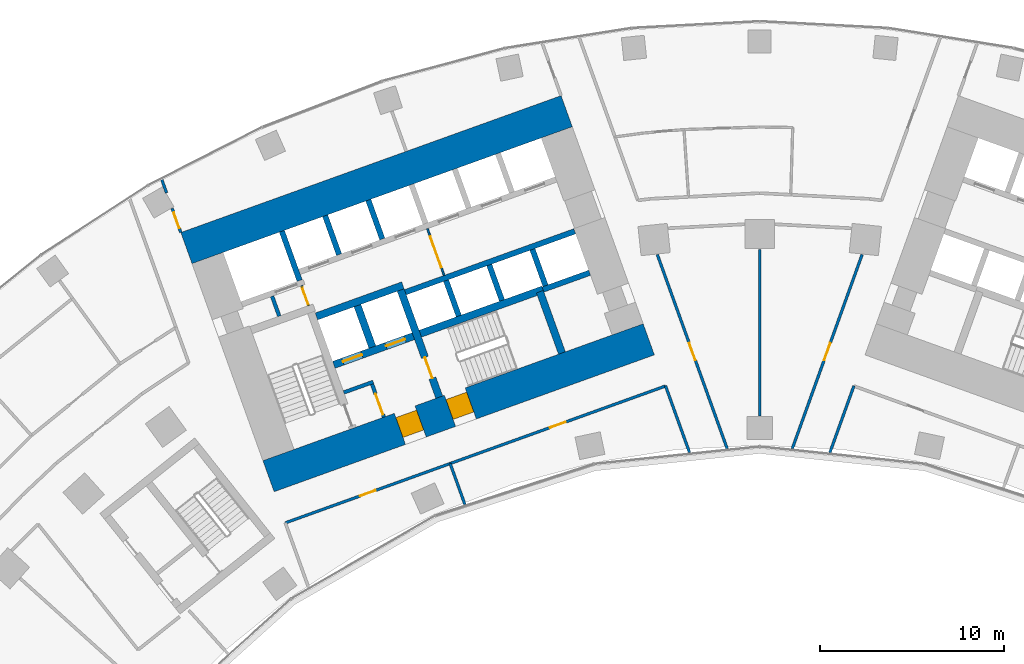
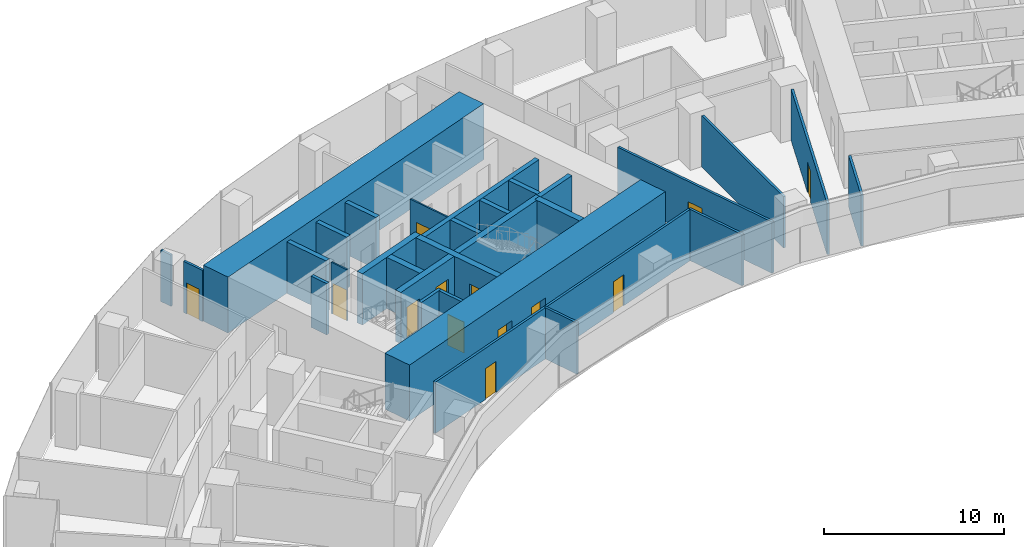
# One storey, part 15 of 21: 30 walls, 13 doors, 13 openings.
"""IFC4 building model written with IfcOpenShell, lengths in metres."""

from ifc_helpers import new_model, si_unit, direction, frame, frame_2d, origin, place, context, subcontext, project, spatial, rectangle, extrude, material, layer, layer_set, type_object, element, fill, save


model = new_model("IFC4")

# Units and contexts
model_context = context("Model", 3, precision=1e-05, world=origin(), true_north=direction((0.0, 1.0)))
body_context = subcontext(model_context, "Body", "Model", "MODEL_VIEW")
ifc_project = project(units=[si_unit("LENGTHUNIT", "METRE"), si_unit("AREAUNIT", "SQUARE_METRE"), si_unit("VOLUMEUNIT", "CUBIC_METRE"), si_unit("PLANEANGLEUNIT", "RADIAN"), si_unit("MASSUNIT", "GRAM", prefix="KILO")], contexts=[model_context])

# Site, building, storey
site_placement = place(None, origin())
site = spatial("IfcSite", under=ifc_project, at=site_placement, CompositionType="ELEMENT")
building_placement = place(site_placement, origin())
building = spatial("IfcBuilding", under=site, at=building_placement, Name="Stone Belt Terrace Tower", CompositionType="ELEMENT")
storey_placement = place(building_placement, frame((0.0, 0.0, 33.800048828125)))
storey = spatial("IfcBuildingStorey", under=building, at=storey_placement, Name="L07", CompositionType="ELEMENT", Elevation=33.800048828125)

# Wall, opening, door
ifc_material_1 = material(Name="Plasterboard partition")
ifc_layer_1 = layer(ifc_material_1, 0.10009765625)
ifc_layer_set_1 = layer_set([ifc_layer_1], Name="Core partition 100")
wall_type_1 = type_object("IfcWallType", Name="Core partition 100", PredefinedType="PARTITIONING", material=ifc_layer_set_1)
wall_1_placement = place(storey_placement, frame((-24.555908203125, 51.10400390625, 0.0), z_axis=(0.0, 0.0, 1.0), x_axis=(-0.338621735342, 0.94092258999, 0.0)))
wall_1 = element("IfcWall", 1, at=wall_1_placement, inside=storey, type_object=wall_type_1, Name="Core A wall", PredefinedType="PARTITIONING", context=body_context, shape_type="SweptSolid", body=[
    extrude(rectangle(XDim=1.14990234375, YDim=0.10009765625, at=frame_2d((0.574951171875, 0.0))), origin(), (0.0, 0.0, 1.0), 3.47998046875),
])
opening_1_placement = place(wall_1_placement, frame((0.050048828125, 0.0, 0.0)))
opening_1 = element("IfcOpeningElement", 2, at=opening_1_placement, cuts=wall_1, Name="Opening L07-C02", PredefinedType="OPENING", context=body_context, shape_type="SweptSolid", body=[
    extrude(rectangle(XDim=1.0, YDim=2.10009765625, at=frame_2d((0.5, 1.050048828125))), frame((0.0, 0.06005859375, 0.0), z_axis=(0.0, -1.0, 0.0), x_axis=(1.0, 0.0, 0.0)), (0.0, 0.0, 1.0), 0.1201171875),
])
ifc_material_2 = material(Name="Timber door leaf", Category="wood")
door_type_1 = type_object("IfcDoorType", Name="Core room door 1000", OperationType="SINGLE_SWING_LEFT", PredefinedType="DOOR", material=ifc_material_2)
door_1_placement = place(opening_1_placement, origin())
door_1 = element("IfcDoor", 3, at=door_1_placement, inside=storey, type_object=door_type_1, Name="Service lift lobby door core A", OperationType="SINGLE_SWING_RIGHT", OverallHeight=2.10009765625, OverallWidth=1.0, PredefinedType="DOOR", context=body_context, shape_type="SweptSolid", body=[
    extrude(rectangle(XDim=1.0, YDim=2.10009765625, at=frame_2d((0.5, 1.050048828125))), frame((0.0, 0.02490234375, 0.0), z_axis=(0.0, -1.0, 0.0), x_axis=(1.0, 0.0, 0.0)), (0.0, 0.0, 1.0), 0.050048828125),
])
fill(opening_1, door_1)

wall_2_placement = place(storey_placement, frame((-17.17724609375, 52.749755859375, 0.0), z_axis=(0.0, 0.0, 1.0), x_axis=(-0.338546555931, 0.940949642365, 0.0)))
wall_2 = element("IfcWall", 4, at=wall_2_placement, inside=storey, type_object=wall_type_1, Name="Core A wall", PredefinedType="PARTITIONING", context=body_context, shape_type="SweptSolid", body=[
    extrude(rectangle(XDim=2.699951171875, YDim=0.10009765625, at=frame_2d((1.35009765625, 0.0))), origin(), (0.0, 0.0, 1.0), 3.47998046875),
])
opening_2_placement = place(wall_2_placement, frame((0.449951171875, 0.0, 0.0)))
opening_2 = element("IfcOpeningElement", 5, at=opening_2_placement, cuts=wall_2, Name="Opening L07-C03", PredefinedType="OPENING", context=body_context, shape_type="SweptSolid", body=[
    extrude(rectangle(XDim=1.800048828125, YDim=2.10009765625, at=frame_2d((0.89990234375, 1.050048828125))), frame((0.0, 0.06005859375, 0.0), z_axis=(0.0, -1.0, 0.0), x_axis=(1.0, 0.0, 0.0)), (0.0, 0.0, 1.0), 0.1201171875),
])
ifc_material_3 = material(Name="Glazed aluminium door leaf", Category="aluminium")
door_type_2 = type_object("IfcDoorType", Name="Lift lobby entrance door 1800", OperationType="DOUBLE_DOOR_SINGLE_SWING", PredefinedType="DOOR", material=ifc_material_3)
door_2_placement = place(opening_2_placement, origin())
door_2 = element("IfcDoor", 6, at=door_2_placement, inside=storey, type_object=door_type_2, Name="Lift lobby double door core A", OperationType="DOUBLE_DOOR_SINGLE_SWING", OverallHeight=2.10009765625, OverallWidth=1.800048828125, PredefinedType="DOOR", context=body_context, shape_type="SweptSolid", body=[
    extrude(rectangle(XDim=1.800048828125, YDim=2.10009765625, at=frame_2d((0.89990234375, 1.050048828125))), frame((0.0, 0.02490234375, 0.0), z_axis=(0.0, -1.0, 0.0), x_axis=(1.0, 0.0, 0.0)), (0.0, 0.0, 1.0), 0.050048828125),
])
fill(opening_2, door_2)

# Wall, openings, doors
ifc_material_4 = material(Name="Concrete B80", Category="concrete")
ifc_layer_2 = layer(ifc_material_4, 1.800048828125)
ifc_layer_set_2 = layer_set([ifc_layer_2], Name="Core wall 1800 B80")
wall_type_2 = type_object("IfcWallType", Name="Core wall 1800 B80", PredefinedType="SHEAR", material=ifc_layer_set_2)
wall_3_placement = place(storey_placement, frame((-26.739501953125, 41.815673828125, 0.0), z_axis=(0.0, 0.0, 1.0), x_axis=(0.940921642213, 0.338624368902, 0.0)))
wall_3 = element("IfcWall", 7, at=wall_3_placement, inside=storey, type_object=wall_type_2, Name="Core A wall concave L07", PredefinedType="SHEAR", context=body_context, shape_type="SweptSolid", body=[
    extrude(rectangle(XDim=22.0, YDim=1.800048828125, at=frame_2d((11.0, 0.0))), origin(), (0.0, 0.0, 1.0), 3.800048828125),
])
opening_3_placement = place(wall_3_placement, frame((7.60009765625, 0.0, 0.0)))
opening_3 = element("IfcOpeningElement", 8, at=opening_3_placement, cuts=wall_3, Name="Opening L07-C07", PredefinedType="OPENING", context=body_context, shape_type="SweptSolid", body=[
    extrude(rectangle(XDim=1.199951171875, YDim=2.10009765625, at=frame_2d((0.60009765625, 1.050048828125))), frame((0.0, 0.909912109375, 0.0), z_axis=(0.0, -1.0, 0.0), x_axis=(1.0, 0.0, 0.0)), (0.0, 0.0, 1.0), 1.820068359375),
])
opening_4_placement = place(wall_3_placement, frame((10.5, 0.0, 0.0)))
opening_4 = element("IfcOpeningElement", 9, at=opening_4_placement, cuts=wall_3, Name="Opening L07-C09", PredefinedType="OPENING", context=body_context, shape_type="SweptSolid", body=[
    extrude(rectangle(XDim=1.199951171875, YDim=2.10009765625, at=frame_2d((0.60009765625, 1.050048828125))), frame((0.0, 0.909912109375, 0.0), z_axis=(0.0, -1.0, 0.0), x_axis=(1.0, 0.0, 0.0)), (0.0, 0.0, 1.0), 1.820068359375),
])
ifc_material_5 = material(Name="Steel door leaf", Category="steel")
door_type_3 = type_object("IfcDoorType", Name="Fire-fighting lobby door 1200", OperationType="SINGLE_SWING_LEFT", PredefinedType="DOOR", material=ifc_material_5)
door_3_placement = place(opening_3_placement, origin())
door_3 = element("IfcDoor", 10, at=door_3_placement, inside=storey, type_object=door_type_3, Name="Fire-fighting lobby door core A", OperationType="SINGLE_SWING_RIGHT", OverallHeight=2.10009765625, OverallWidth=1.199951171875, PredefinedType="DOOR", context=body_context, shape_type="SweptSolid", body=[
    extrude(rectangle(XDim=1.199951171875, YDim=2.10009765625, at=frame_2d((0.60009765625, 1.050048828125))), frame((0.0, 0.655029296875, 0.0), z_axis=(0.0, -1.0, 0.0), x_axis=(1.0, 0.0, 0.0)), (0.0, 0.0, 1.0), 1.14990234375),
])
fill(opening_3, door_3)
door_type_4 = type_object("IfcDoorType", Name="Stair door 1200", OperationType="SINGLE_SWING_LEFT", PredefinedType="DOOR", material=ifc_material_5)
door_4_placement = place(opening_4_placement, origin())
door_4 = element("IfcDoor", 11, at=door_4_placement, inside=storey, type_object=door_type_4, Name="Stair 2 exit door core A", OperationType="SINGLE_SWING_LEFT", OverallHeight=2.10009765625, OverallWidth=1.199951171875, PredefinedType="DOOR", context=body_context, shape_type="SweptSolid", body=[
    extrude(rectangle(XDim=1.199951171875, YDim=2.10009765625, at=frame_2d((0.60009765625, 1.050048828125))), frame((0.0, 0.655029296875, 0.0), z_axis=(0.0, -1.0, 0.0), x_axis=(1.0, 0.0, 0.0)), (0.0, 0.0, 1.0), 1.14990234375),
])
fill(opening_4, door_4)

# Walls
wall_4_placement = place(storey_placement, frame((-31.20947265625, 54.23583984375, 0.0), z_axis=(0.0, 0.0, 1.0), x_axis=(0.940922914687, 0.338620833112, 0.0)))
element("IfcWall", 12, at=wall_4_placement, inside=storey, type_object=wall_type_2, Name="Core A wall convex L07", PredefinedType="SHEAR", context=body_context, shape_type="SweptSolid", body=[
    extrude(rectangle(XDim=22.000244140625, YDim=1.800048828125, at=frame_2d((11.0, 0.0))), origin(), (0.0, 0.0, 1.0), 3.800048828125),
])
ifc_layer_3 = layer(ifc_material_4, 0.39990234375)
ifc_layer_set_3 = layer_set([ifc_layer_3], Name="Fire-fighting lift shaft wall 400")
wall_type_3 = type_object("IfcWallType", Name="Fire-fighting lift shaft wall 400", PredefinedType="SHEAR", material=ifc_layer_set_3)
wall_5_placement = place(storey_placement, frame((-24.130615234375, 50.512939453125, 0.0), z_axis=(0.0, 0.0, 1.0), x_axis=(0.94091168377, 0.338652038744, 0.0)))
element("IfcWall", 13, at=wall_5_placement, inside=storey, type_object=wall_type_3, Name="Core A wall", PredefinedType="SHEAR", context=body_context, shape_type="SweptSolid", body=[
    extrude(rectangle(XDim=5.000244140625, YDim=0.39990234375, at=frame_2d((2.5, 0.0))), origin(), (0.0, 0.0, 1.0), 3.47998046875),
])
wall_6_placement = place(storey_placement, frame((-21.0859375, 48.845458984375, 0.0), z_axis=(0.0, 0.0, 1.0), x_axis=(-0.338629416206, 0.940919825745, 0.0)))
element("IfcWall", 14, at=wall_6_placement, inside=storey, type_object=wall_type_3, Name="Core A wall", PredefinedType="SHEAR", context=body_context, shape_type="SweptSolid", body=[
    extrude(rectangle(XDim=2.400146484375, YDim=0.39990234375, at=frame_2d((1.2001953125, 0.0))), origin(), (0.0, 0.0, 1.0), 3.47998046875),
])
ifc_layer_4 = layer(ifc_material_4, 0.300048828125)
ifc_layer_set_4 = layer_set([ifc_layer_4], Name="Lift shaft wall 300")
wall_type_4 = type_object("IfcWallType", Name="Lift shaft wall 300", PredefinedType="SHEAR", material=ifc_layer_set_4)
wall_7_placement = place(storey_placement, frame((-25.046875, 52.46826171875, 0.0), z_axis=(0.0, 0.0, 1.0), x_axis=(-0.338549588058, 0.940948551423, 0.0)))
element("IfcWall", 15, at=wall_7_placement, inside=storey, type_object=wall_type_4, Name="Core A wall", PredefinedType="SHEAR", context=body_context, shape_type="SweptSolid", body=[
    extrude(rectangle(XDim=2.849853515625, YDim=0.300048828125, at=frame_2d((1.4248046875, 0.0))), origin(), (0.0, 0.0, 1.0), 3.47998046875),
])
wall_8_placement = place(storey_placement, frame((-22.897705078125, 53.87939453125, 0.0), z_axis=(0.0, 0.0, 1.0), x_axis=(-0.338535034312, 0.940953787677, 0.0)))
element("IfcWall", 16, at=wall_8_placement, inside=storey, type_object=wall_type_4, Name="Core A wall", PredefinedType="SHEAR", context=body_context, shape_type="SweptSolid", body=[
    extrude(rectangle(XDim=2.25, YDim=0.300048828125, at=frame_2d((1.125, 0.0))), origin(), (0.0, 0.0, 1.0), 3.47998046875),
])
wall_9_placement = place(storey_placement, frame((-19.29052734375, 51.829833984375, 0.0), z_axis=(0.0, 0.0, 1.0), x_axis=(0.940925833398, 0.338612722803, 0.0)))
element("IfcWall", 17, at=wall_9_placement, inside=storey, type_object=wall_type_4, Name="Core A wall", PredefinedType="SHEAR", context=body_context, shape_type="SweptSolid", body=[
    extrude(rectangle(XDim=9.7998046875, YDim=0.300048828125, at=frame_2d((4.89990234375, 0.0))), origin(), (0.0, 0.0, 1.0), 3.47998046875),
])
wall_10_placement = place(storey_placement, frame((-20.54541015625, 54.72607421875, 0.0), z_axis=(0.0, 0.0, 1.0), x_axis=(-0.338569601369, 0.940941350472, 0.0)))
element("IfcWall", 18, at=wall_10_placement, inside=storey, type_object=wall_type_4, Name="Core A wall", PredefinedType="SHEAR", context=body_context, shape_type="SweptSolid", body=[
    extrude(rectangle(XDim=2.249755859375, YDim=0.300048828125, at=frame_2d((1.125, 0.0))), origin(), (0.0, 0.0, 1.0), 3.47998046875),
])
for number, where, z_axis, x_axis, name in (
    (19, (-16.38134765625, 50.53857421875, 0.0), (0.0, 0.0, 1.0), (-0.338681515556, 0.940901073982, 0.0), "Core A wall"),
    (20, (-14.029052734375, 51.38525390625, 0.0), (0.0, 0.0, 1.0), (-0.338681515556, 0.940901073982, 0.0), "Core A wall"),
):
    element("IfcWall", number, at=place(storey_placement, frame(where, z_axis=z_axis, x_axis=x_axis)), inside=storey, type_object=wall_type_4, Name=name, PredefinedType="SHEAR", context=body_context, shape_type="SweptSolid", body=[
        extrude(rectangle(XDim=2.050048828125, YDim=0.300048828125, at=frame_2d((1.02490234375, 0.0))), origin(), (0.0, 0.0, 1.0), 3.47998046875),
    ])
wall_11_placement = place(storey_placement, frame((-11.797119140625, 51.975830078125, 0.0), z_axis=(0.0, 0.0, 1.0), x_axis=(0.940910465161, 0.33865542451, 0.0)))
element("IfcWall", 21, at=wall_11_placement, inside=storey, type_object=wall_type_4, Name="Core A wall", PredefinedType="SHEAR", context=body_context, shape_type="SweptSolid", body=[
    extrude(rectangle(XDim=2.69970703125, YDim=0.300048828125, at=frame_2d((1.349853515625, 0.0))), origin(), (0.0, 0.0, 1.0), 3.47998046875),
])
wall_12_placement = place(storey_placement, frame((-11.659912109375, 52.184814453125, 0.0), z_axis=(0.0, 0.0, 1.0), x_axis=(-0.338670064856, 0.940905195634, 0.0)))
element("IfcWall", 22, at=wall_12_placement, inside=storey, type_object=wall_type_4, Name="Core A wall", PredefinedType="SHEAR", context=body_context, shape_type="SweptSolid", body=[
    extrude(rectangle(XDim=2.099853515625, YDim=0.300048828125, at=frame_2d((1.0498046875, 0.0))), origin(), (0.0, 0.0, 1.0), 3.47998046875),
])
ifc_material_6 = material(Name="Gypsum board partition")
ifc_layer_5 = layer(ifc_material_6, 0.14990234375)
ifc_layer_set_5 = layer_set([ifc_layer_5], Name="PARTITION 150 EI 60")
wall_type_5 = type_object("IfcWallType", Name="PARTITION 150 EI 60", PredefinedType="PARTITIONING", material=ifc_layer_set_5)
wall_13_placement = place(storey_placement, frame((-32.5458984375, 57.947998046875, 0.0), z_axis=(0.0, 0.0, 1.0), x_axis=(0.338960201827, -0.940800712998, 0.0)))
element("IfcWall", 23, at=wall_13_placement, inside=storey, type_object=wall_type_5, Name="L07/wall/i002", PredefinedType="PARTITIONING", context=body_context, shape_type="SweptSolid", body=[
    extrude(rectangle(XDim=0.754150390625, YDim=0.14990234375, at=frame_2d((0.376953125, 0.0))), origin(), (0.0, 0.0, 1.0), 3.47998046875),
])

# Wall, opening, door
wall_14_placement = place(storey_placement, frame((-31.98681640625, 56.39599609375, 0.0), z_axis=(0.0, 0.0, 1.0), x_axis=(0.338861945182, -0.940836107995, 0.0)))
wall_14 = element("IfcWall", 24, at=wall_14_placement, inside=storey, type_object=wall_type_5, Name="L07/wall/i003", PredefinedType="PARTITIONING", context=body_context, shape_type="SweptSolid", body=[
    extrude(rectangle(XDim=1.3955078125, YDim=0.14990234375, at=frame_2d((0.69775390625, 0.0))), origin(), (0.0, 0.0, 1.0), 3.47998046875),
])
opening_5_placement = place(wall_14_placement, frame((0.247802734375, 0.0, 0.0)))
opening_5 = element("IfcOpeningElement", 25, at=opening_5_placement, cuts=wall_14, Name="Opening D-A1b-03", PredefinedType="OPENING", context=body_context, shape_type="SweptSolid", body=[
    extrude(rectangle(XDim=0.89990234375, YDim=2.10009765625, at=frame_2d((0.449951171875, 1.050048828125))), frame((0.0, 0.0849609375, 0.0), z_axis=(0.0, -1.0, 0.0), x_axis=(1.0, 0.0, 0.0)), (0.0, 0.0, 1.0), 0.169921875),
])
door_type_5 = type_object("IfcDoorType", Name="OFFICE DOOR 900 X 2100", OperationType="NOTDEFINED", PredefinedType="DOOR", material=ifc_material_2)
door_5_placement = place(opening_5_placement, origin())
door_5 = element("IfcDoor", 26, at=door_5_placement, inside=storey, type_object=door_type_5, Name="L07/door/i03", OperationType="SINGLE_SWING_RIGHT", OverallHeight=2.10009765625, OverallWidth=0.89990234375, PredefinedType="DOOR", context=body_context, shape_type="SweptSolid", body=[
    extrude(rectangle(XDim=0.89990234375, YDim=2.10009765625, at=frame_2d((0.449951171875, 1.050048828125))), frame((0.0, 0.02490234375, 0.0), z_axis=(0.0, -1.0, 0.0), x_axis=(1.0, 0.0, 0.0)), (0.0, 0.0, 1.0), 0.050048828125),
])
fill(opening_5, door_5)

# Wall
wall_15_placement = place(storey_placement, frame((-3.819580078125, 43.0986328125, 0.0), z_axis=(0.0, 0.0, 1.0), x_axis=(-0.338659002829, 0.940909177234, 0.0)))
element("IfcWall", 27, at=wall_15_placement, inside=storey, type_object=wall_type_5, Name="L07/wall/i007", PredefinedType="PARTITIONING", context=body_context, shape_type="SweptSolid", body=[
    extrude(rectangle(XDim=3.8603515625, YDim=0.14990234375, at=frame_2d((1.93017578125, 0.0))), origin(), (0.0, 0.0, 1.0), 3.47998046875),
])

# Wall, opening, door
wall_16_placement = place(storey_placement, frame((-5.574951171875, 53.88232421875, 0.0), z_axis=(0.0, 0.0, 1.0), x_axis=(0.338622486498, -0.940922319662, 0.0)))
wall_16 = element("IfcWall", 28, at=wall_16_placement, inside=storey, type_object=wall_type_5, Name="L07/wall/i009", PredefinedType="PARTITIONING", context=body_context, shape_type="SweptSolid", body=[
    extrude(rectangle(XDim=11.232177734375, YDim=0.14990234375, at=frame_2d((5.6162109375, 0.0))), origin(), (0.0, 0.0, 1.0), 3.47998046875),
])
opening_6_placement = place(wall_16_placement, frame((5.1162109375, 0.0, 0.0)))
opening_6 = element("IfcOpeningElement", 29, at=opening_6_placement, cuts=wall_16, Name="Opening D-A1b-26", PredefinedType="OPENING", context=body_context, shape_type="SweptSolid", body=[
    extrude(rectangle(XDim=1.0, YDim=2.10009765625, at=frame_2d((0.5, 1.050048828125))), frame((0.0, 0.0849609375, 0.0), z_axis=(0.0, -1.0, 0.0), x_axis=(1.0, 0.0, 0.0)), (0.0, 0.0, 1.0), 0.169921875),
])
ifc_material_7 = material(Name="Timber fire door leaf", Category="wood")
door_type_6 = type_object("IfcDoorType", Name="TENANCY ENTRANCE DOOR 1000 X 2100", OperationType="NOTDEFINED", PredefinedType="DOOR", material=ifc_material_7)
door_6_placement = place(opening_6_placement, origin())
door_6 = element("IfcDoor", 30, at=door_6_placement, inside=storey, type_object=door_type_6, Name="L07/door/i26", OperationType="SINGLE_SWING_LEFT", OverallHeight=2.10009765625, OverallWidth=1.0, PredefinedType="DOOR", context=body_context, shape_type="SweptSolid", body=[
    extrude(rectangle(XDim=1.0, YDim=2.10009765625, at=frame_2d((0.5, 1.050048828125))), frame((0.0, 0.02490234375, 0.0), z_axis=(0.0, -1.0, 0.0), x_axis=(1.0, 0.0, 0.0)), (0.0, 0.0, 1.0), 0.050048828125),
])
fill(opening_6, door_6)

wall_17_placement = place(storey_placement, frame((-16.845947265625, 42.506103515625, 0.0), z_axis=(0.0, 0.0, 1.0), x_axis=(-0.940928824843, -0.338604410158, 0.0)))
wall_17 = element("IfcWall", 31, at=wall_17_placement, inside=storey, type_object=wall_type_5, Name="L07/wall/i012", PredefinedType="PARTITIONING", context=body_context, shape_type="SweptSolid", body=[
    extrude(rectangle(XDim=9.542724609375, YDim=0.14990234375, at=frame_2d((4.771484375, 0.0))), origin(), (0.0, 0.0, 1.0), 3.47998046875),
])
opening_7_placement = place(wall_17_placement, frame((4.3212890625, 0.0, 0.0)))
opening_7 = element("IfcOpeningElement", 32, at=opening_7_placement, cuts=wall_17, Name="Opening D-A1b-01", PredefinedType="OPENING", context=body_context, shape_type="SweptSolid", body=[
    extrude(rectangle(XDim=0.89990234375, YDim=2.10009765625, at=frame_2d((0.449951171875, 1.050048828125))), frame((0.0, 0.0849609375, 0.0), z_axis=(0.0, -1.0, 0.0), x_axis=(1.0, 0.0, 0.0)), (0.0, 0.0, 1.0), 0.169921875),
])
door_7_placement = place(opening_7_placement, origin())
door_7 = element("IfcDoor", 33, at=door_7_placement, inside=storey, type_object=door_type_5, Name="L07/door/i01", OperationType="SINGLE_SWING_RIGHT", OverallHeight=2.10009765625, OverallWidth=0.89990234375, PredefinedType="DOOR", context=body_context, shape_type="SweptSolid", body=[
    extrude(rectangle(XDim=0.89990234375, YDim=2.10009765625, at=frame_2d((0.449951171875, 1.050048828125))), frame((0.0, 0.02490234375, 0.0), z_axis=(0.0, -1.0, 0.0), x_axis=(1.0, 0.0, 0.0)), (0.0, 0.0, 1.0), 0.050048828125),
])
fill(opening_7, door_7)

wall_18_placement = place(storey_placement, frame((-5.125, 46.72509765625, 0.0), z_axis=(0.0, 0.0, 1.0), x_axis=(-0.940905380647, -0.338669550844, 0.0)))
wall_18 = element("IfcWall", 34, at=wall_18_placement, inside=storey, type_object=wall_type_5, Name="L07/wall/i013", PredefinedType="PARTITIONING", context=body_context, shape_type="SweptSolid", body=[
    extrude(rectangle(XDim=12.4697265625, YDim=0.14990234375, at=frame_2d((6.23486328125, 0.0))), origin(), (0.0, 0.0, 1.0), 3.47998046875),
])
opening_8_placement = place(wall_18_placement, frame((5.784912109375, 0.0, 0.0)))
opening_8 = element("IfcOpeningElement", 35, at=opening_8_placement, cuts=wall_18, Name="Opening D-A1b-02", PredefinedType="OPENING", context=body_context, shape_type="SweptSolid", body=[
    extrude(rectangle(XDim=0.89990234375, YDim=2.10009765625, at=frame_2d((0.449951171875, 1.050048828125))), frame((0.0, 0.0849609375, 0.0), z_axis=(0.0, -1.0, 0.0), x_axis=(1.0, 0.0, 0.0)), (0.0, 0.0, 1.0), 0.169921875),
])
door_8_placement = place(opening_8_placement, origin())
door_8 = element("IfcDoor", 36, at=door_8_placement, inside=storey, type_object=door_type_5, Name="L07/door/i02", OperationType="SINGLE_SWING_RIGHT", OverallHeight=2.10009765625, OverallWidth=0.89990234375, PredefinedType="DOOR", context=body_context, shape_type="SweptSolid", body=[
    extrude(rectangle(XDim=0.89990234375, YDim=2.10009765625, at=frame_2d((0.449951171875, 1.050048828125))), frame((0.0, 0.02490234375, 0.0), z_axis=(0.0, -1.0, 0.0), x_axis=(1.0, 0.0, 0.0)), (0.0, 0.0, 1.0), 0.050048828125),
])
fill(opening_8, door_8)

# Walls
wall_19_placement = place(storey_placement, frame((-16.85205078125, 42.50390625, 0.0), z_axis=(0.0, 0.0, 1.0), x_axis=(0.339029428556, -0.940775768487, 0.0)))
element("IfcWall", 37, at=wall_19_placement, inside=storey, type_object=wall_type_5, Name="L07/wall/i014", PredefinedType="PARTITIONING", context=body_context, shape_type="SweptSolid", body=[
    extrude(rectangle(XDim=2.37060546875, YDim=0.14990234375, at=frame_2d((1.185302734375, 0.0))), origin(), (0.0, 0.0, 1.0), 3.47998046875),
])
wall_20_placement = place(storey_placement, frame((5.126953125, 46.73095703125, 0.0), z_axis=(0.0, 0.0, 1.0), x_axis=(-0.338659002829, -0.940909177234, 0.0)))
element("IfcWall", 38, at=wall_20_placement, inside=storey, type_object=wall_type_5, Name="L07/wall/i016", PredefinedType="PARTITIONING", context=body_context, shape_type="SweptSolid", body=[
    extrude(rectangle(XDim=3.8603515625, YDim=0.14990234375, at=frame_2d((1.93017578125, 0.0))), origin(), (0.0, 0.0, 1.0), 3.47998046875),
])

# Wall, opening, door
wall_21_placement = place(storey_placement, frame((1.771484375, 43.313720703125, 0.0), z_axis=(0.0, 0.0, 1.0), x_axis=(0.338622486498, 0.940922319662, 0.0)))
wall_21 = element("IfcWall", 39, at=wall_21_placement, inside=storey, type_object=wall_type_5, Name="L07/wall/i018", PredefinedType="PARTITIONING", context=body_context, shape_type="SweptSolid", body=[
    extrude(rectangle(XDim=11.232177734375, YDim=0.14990234375, at=frame_2d((5.6162109375, 0.0))), origin(), (0.0, 0.0, 1.0), 3.47998046875),
])
opening_9_placement = place(wall_21_placement, frame((5.1162109375, 0.0, 0.0)))
opening_9 = element("IfcOpeningElement", 40, at=opening_9_placement, cuts=wall_21, Name="Opening D-A1b-27", PredefinedType="OPENING", context=body_context, shape_type="SweptSolid", body=[
    extrude(rectangle(XDim=1.0, YDim=2.10009765625, at=frame_2d((0.5, 1.050048828125))), frame((0.0, 0.0849609375, 0.0), z_axis=(0.0, -1.0, 0.0), x_axis=(1.0, 0.0, 0.0)), (0.0, 0.0, 1.0), 0.169921875),
])
door_9_placement = place(opening_9_placement, origin())
door_9 = element("IfcDoor", 41, at=door_9_placement, inside=storey, type_object=door_type_6, Name="L07/door/i27", OperationType="SINGLE_SWING_LEFT", OverallHeight=2.10009765625, OverallWidth=1.0, PredefinedType="DOOR", context=body_context, shape_type="SweptSolid", body=[
    extrude(rectangle(XDim=1.0, YDim=2.10009765625, at=frame_2d((0.5, 1.050048828125))), frame((0.0, 0.02490234375, 0.0), z_axis=(0.0, -1.0, 0.0), x_axis=(1.0, 0.0, 0.0)), (0.0, 0.0, 1.0), 0.050048828125),
])
fill(opening_9, door_9)

# Walls
wall_22_placement = place(storey_placement, frame((0.0, 54.169921875, 0.0), z_axis=(0.0, 0.0, 1.0), x_axis=(0.0, -1.0, 0.0)))
element("IfcWall", 42, at=wall_22_placement, inside=storey, type_object=wall_type_5, Name="L07/wall/i087", PredefinedType="PARTITIONING", context=body_context, shape_type="SweptSolid", body=[
    extrude(rectangle(XDim=9.06982421875, YDim=0.14990234375, at=frame_2d((4.534912109375, 0.0))), origin(), (0.0, 0.0, 1.0), 3.47998046875),
])
ifc_material_8 = material(Name="Concrete masonry block", Category="masonry")
ifc_layer_6 = layer(ifc_material_8, 0.199951171875)
ifc_layer_set_6 = layer_set([ifc_layer_6], Name="Rated lobby wall 200")
wall_type_6 = type_object("IfcWallType", Name="Rated lobby wall 200", PredefinedType="PARTITIONING", material=ifc_layer_set_6)
wall_23_placement = place(storey_placement, frame((-26.1552734375, 50.5283203125, 0.0), z_axis=(0.0, 0.0, 1.0), x_axis=(-0.338621735342, 0.94092258999, 0.0)))
element("IfcWall", 43, at=wall_23_placement, inside=storey, type_object=wall_type_6, Name="Core A wall", PredefinedType="PARTITIONING", context=body_context, shape_type="SweptSolid", body=[
    extrude(rectangle(XDim=1.14990234375, YDim=0.199951171875, at=frame_2d((0.574951171875, 0.0))), origin(), (0.0, 0.0, 1.0), 3.47998046875),
])
wall_24_placement = place(storey_placement, frame((-22.640625, 46.373046875, 0.0), z_axis=(0.0, 0.0, 1.0), x_axis=(0.940966110313, 0.338500781747, 0.0)))
element("IfcWall", 44, at=wall_24_placement, inside=storey, type_object=wall_type_6, Name="Core A wall", PredefinedType="PARTITIONING", context=body_context, shape_type="SweptSolid", body=[
    extrude(rectangle(XDim=1.699951171875, YDim=0.199951171875, at=frame_2d((0.85009765625, 0.0))), origin(), (0.0, 0.0, 1.0), 3.47998046875),
])

# Wall, opening, door
wall_25_placement = place(storey_placement, frame((-20.4580078125, 45.032958984375, 0.0), z_axis=(0.0, 0.0, 1.0), x_axis=(-0.338573865316, 0.940939816208, 0.0)))
wall_25 = element("IfcWall", 45, at=wall_25_placement, inside=storey, type_object=wall_type_6, Name="Core A wall", PredefinedType="PARTITIONING", context=body_context, shape_type="SweptSolid", body=[
    extrude(rectangle(XDim=1.900146484375, YDim=0.199951171875, at=frame_2d((0.9501953125, 0.0))), origin(), (0.0, 0.0, 1.0), 3.47998046875),
])
opening_10_placement = place(wall_25_placement, frame((0.14990234375, 0.0, 0.0)))
opening_10 = element("IfcOpeningElement", 46, at=opening_10_placement, cuts=wall_25, Name="Opening L07-C06", PredefinedType="OPENING", context=body_context, shape_type="SweptSolid", body=[
    extrude(rectangle(XDim=1.199951171875, YDim=2.10009765625, at=frame_2d((0.60009765625, 1.050048828125))), frame((0.0, 0.10986328125, 0.0), z_axis=(0.0, -1.0, 0.0), x_axis=(1.0, 0.0, 0.0)), (0.0, 0.0, 1.0), 0.219970703125),
])
door_10_placement = place(opening_10_placement, origin())
door_10 = element("IfcDoor", 47, at=door_10_placement, inside=storey, type_object=door_type_4, Name="Stair airlock door core A", OperationType="SINGLE_SWING_RIGHT", OverallHeight=2.10009765625, OverallWidth=1.199951171875, PredefinedType="DOOR", context=body_context, shape_type="SweptSolid", body=[
    extrude(rectangle(XDim=1.199951171875, YDim=2.10009765625, at=frame_2d((0.60009765625, 1.050048828125))), frame((0.0, 0.02490234375, 0.0), z_axis=(0.0, -1.0, 0.0), x_axis=(1.0, 0.0, 0.0)), (0.0, 0.0, 1.0), 0.050048828125),
])
fill(opening_10, door_10)

# Wall, openings, doors
ifc_layer_7 = layer(ifc_material_4, 0.39990234375)
ifc_layer_set_7 = layer_set([ifc_layer_7], Name="Stair enclosure wall 400")
wall_type_7 = type_object("IfcWallType", Name="Stair enclosure wall 400", PredefinedType="SHEAR", material=ifc_layer_set_7)
wall_26_placement = place(storey_placement, frame((-23.182373046875, 47.87841796875, 0.0), z_axis=(0.0, 0.0, 1.0), x_axis=(0.940921101762, 0.338625870628, 0.0)))
wall_26 = element("IfcWall", 48, at=wall_26_placement, inside=storey, type_object=wall_type_7, Name="Core A wall", PredefinedType="SHEAR", context=body_context, shape_type="SweptSolid", body=[
    extrude(rectangle(XDim=12.10009765625, YDim=0.39990234375, at=frame_2d((6.050048828125, 0.0))), origin(), (0.0, 0.0, 1.0), 3.47998046875),
])
opening_11_placement = place(wall_26_placement, frame((0.52001953125, 0.0, 0.0)))
opening_11 = element("IfcOpeningElement", 49, at=opening_11_placement, cuts=wall_26, Name="Opening L07-LD07", PredefinedType="OPENING", context=body_context, shape_type="SweptSolid", body=[
    extrude(rectangle(XDim=1.10009765625, YDim=2.199951171875, at=frame_2d((0.550048828125, 1.10009765625))), frame((0.0, 0.2099609375, 0.0), z_axis=(0.0, -1.0, 0.0), x_axis=(1.0, 0.0, 0.0)), (0.0, 0.0, 1.0), 0.419921875),
])
opening_12_placement = place(wall_26_placement, frame((3.02001953125, 0.0, 0.0)))
opening_12 = element("IfcOpeningElement", 50, at=opening_12_placement, cuts=wall_26, Name="Opening L07-LD08", PredefinedType="OPENING", context=body_context, shape_type="SweptSolid", body=[
    extrude(rectangle(XDim=1.10009765625, YDim=2.199951171875, at=frame_2d((0.550048828125, 1.10009765625))), frame((0.0, 0.2099609375, 0.0), z_axis=(0.0, -1.0, 0.0), x_axis=(1.0, 0.0, 0.0)), (0.0, 0.0, 1.0), 0.419921875),
])
ifc_material_9 = material(Name="Stainless steel door leaf", Category="steel")
door_type_7 = type_object("IfcDoorType", Name="Landing door 1100", OperationType="SLIDING_TO_LEFT", PredefinedType="DOOR", material=ifc_material_9)
door_11_placement = place(opening_11_placement, origin())
door_11 = element("IfcDoor", 51, at=door_11_placement, inside=storey, type_object=door_type_7, Name="Landing door FF1 core A", OperationType="SLIDING_TO_LEFT", OverallHeight=2.199951171875, OverallWidth=1.10009765625, PredefinedType="DOOR", context=body_context, shape_type="SweptSolid", body=[
    extrude(rectangle(XDim=1.10009765625, YDim=2.199951171875, at=frame_2d((0.550048828125, 1.10009765625))), frame((0.0, 0.02490234375, 0.0), z_axis=(0.0, -1.0, 0.0), x_axis=(1.0, 0.0, 0.0)), (0.0, 0.0, 1.0), 0.050048828125),
])
fill(opening_11, door_11)
door_12_placement = place(opening_12_placement, origin())
door_12 = element("IfcDoor", 52, at=door_12_placement, inside=storey, type_object=door_type_7, Name="Landing door FF2 core A", OperationType="SLIDING_TO_LEFT", OverallHeight=2.199951171875, OverallWidth=1.10009765625, PredefinedType="DOOR", context=body_context, shape_type="SweptSolid", body=[
    extrude(rectangle(XDim=1.10009765625, YDim=2.199951171875, at=frame_2d((0.550048828125, 1.10009765625))), frame((0.0, 0.02490234375, 0.0), z_axis=(0.0, -1.0, 0.0), x_axis=(1.0, 0.0, 0.0)), (0.0, 0.0, 1.0), 0.050048828125),
])
fill(opening_12, door_12)

# Wall, opening, door
wall_27_placement = place(storey_placement, frame((-17.447021484375, 46.116455078125, 0.0), z_axis=(0.0, 0.0, 1.0), x_axis=(-0.33860791464, 0.940927563707, 0.0)))
wall_27 = element("IfcWall", 53, at=wall_27_placement, inside=storey, type_object=wall_type_7, Name="Core A wall", PredefinedType="SHEAR", context=body_context, shape_type="SweptSolid", body=[
    extrude(rectangle(XDim=6.199951171875, YDim=0.39990234375, at=frame_2d((3.10009765625, 0.0))), origin(), (0.0, 0.0, 1.0), 3.47998046875),
])
opening_13_placement = place(wall_27_placement, frame((1.10009765625, 0.0, 0.0)))
opening_13 = element("IfcOpeningElement", 54, at=opening_13_placement, cuts=wall_27, Name="Opening L07-C08", PredefinedType="OPENING", context=body_context, shape_type="SweptSolid", body=[
    extrude(rectangle(XDim=1.199951171875, YDim=2.10009765625, at=frame_2d((0.60009765625, 1.050048828125))), frame((0.0, 0.2099609375, 0.0), z_axis=(0.0, -1.0, 0.0), x_axis=(1.0, 0.0, 0.0)), (0.0, 0.0, 1.0), 0.419921875),
])
door_13_placement = place(opening_13_placement, origin())
door_13 = element("IfcDoor", 55, at=door_13_placement, inside=storey, type_object=door_type_4, Name="Stair 2 door core A", OperationType="SINGLE_SWING_RIGHT", OverallHeight=2.10009765625, OverallWidth=1.199951171875, PredefinedType="DOOR", context=body_context, shape_type="SweptSolid", body=[
    extrude(rectangle(XDim=1.199951171875, YDim=2.10009765625, at=frame_2d((0.60009765625, 1.050048828125))), frame((0.0, 0.02490234375, 0.0), z_axis=(0.0, -1.0, 0.0), x_axis=(1.0, 0.0, 0.0)), (0.0, 0.0, 1.0), 0.050048828125),
])
fill(opening_13, door_13)

# Wall
wall_28_placement = place(storey_placement, frame((-10.766357421875, 48.520751953125, 0.0), z_axis=(0.0, 0.0, 1.0), x_axis=(-0.338626928157, 0.94092072117, 0.0)))
element("IfcWall", 56, at=wall_28_placement, inside=storey, type_object=wall_type_7, Name="Core A wall", PredefinedType="SHEAR", context=body_context, shape_type="SweptSolid", body=[
    extrude(rectangle(XDim=3.550048828125, YDim=0.39990234375, at=frame_2d((1.77490234375, 0.0))), origin(), (0.0, 0.0, 1.0), 3.47998046875),
])

save(model, "model.ifc")
